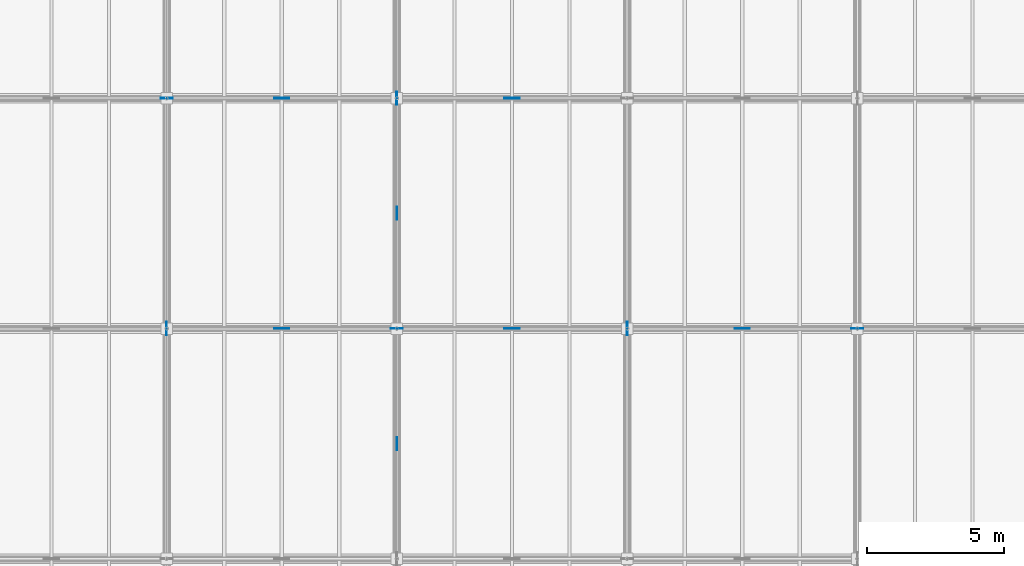
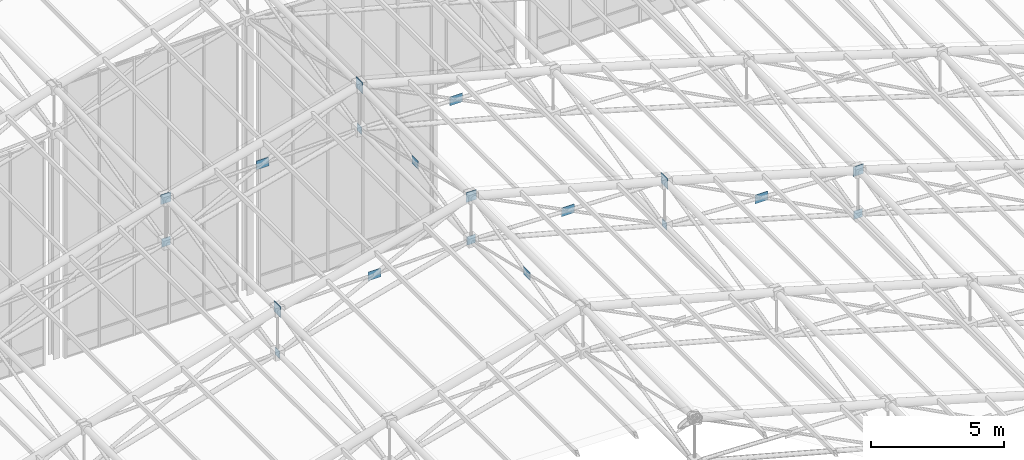
# One storey, part 122 of 144: 19 plates.
"""IFC4 building model written with IfcOpenShell, lengths in metres."""

from ifc_helpers import new_model, si_unit, direction, frame, origin, origin_2d, place, context, subcontext, project, spatial, rectangle, extrude, material, layer, layer_set, type_object, element, save


model = new_model("IFC4")

# Units and contexts
model_context = context("Model", 3, precision=1e-05, world=origin(), true_north=direction((0.0, 1.0)))
body_context = subcontext(model_context, "Body", "Model", "MODEL_VIEW")
ifc_project = project(units=[si_unit("LENGTHUNIT", "METRE"), si_unit("AREAUNIT", "SQUARE_METRE"), si_unit("VOLUMEUNIT", "CUBIC_METRE"), si_unit("PLANEANGLEUNIT", "RADIAN"), si_unit("MASSUNIT", "GRAM", prefix="KILO")], contexts=[model_context])

# Site, building, storey
site_placement = place(None, origin())
site = spatial("IfcSite", under=ifc_project, at=site_placement, CompositionType="ELEMENT")
building_placement = place(site_placement, origin())
building = spatial("IfcBuilding", under=site, at=building_placement, Name="Zayran Congress Hotel", CompositionType="ELEMENT")
storey_placement = place(building_placement, frame((0.0, 0.0, 19.199951171875)))
storey = spatial("IfcBuildingStorey", under=building, at=storey_placement, Name="L04", CompositionType="ELEMENT", Elevation=19.199951171875)

# Plates
ifc_material = material(Name="Steel S355", Category="steel")
ifc_layer_1 = layer(ifc_material, 0.02490234375)
ifc_layer_set_1 = layer_set([ifc_layer_1], Name="Steel S355")
plate_type_1 = type_object("IfcPlateType", Name="TP-SN-CP1", PredefinedType="USERDEFINED", material=ifc_layer_set_1)
for number, where, z_axis, x_axis, name in (
    (1, (42.0, 101.199951171875, 12.132080078125), (0.0, 0.0, 1.0), (1.0, 0.0, 0.0), "Space Frame Node Cap Plate 33"),
    (2, (50.39990234375, 92.800048828125, 14.382080078125), (0.0, 0.0, 1.0), (1.0, 0.0, 0.0), "Space Frame Node Cap Plate 39"),
    (3, (67.199951171875, 92.800048828125, 9.68212890625), (0.0, 0.0, 1.0), (1.0, 0.0, 0.0), "Space Frame Node Cap Plate 53"),
):
    element("IfcPlate", number, at=place(storey_placement, frame(where, z_axis=z_axis, x_axis=x_axis)), inside=storey, type_object=plate_type_1, Name=name, ObjectType="GUSSET_PLATE", PredefinedType="USERDEFINED", context=body_context, shape_type="SweptSolid", body=[
        extrude(rectangle(XDim=0.43994140625, YDim=0.02490234375, at=origin_2d()), origin(), (0.0, 0.0, 1.0), 0.43994140625),
    ])
ifc_layer_2 = layer(ifc_material, 0.02490234375)
ifc_layer_set_2 = layer_set([ifc_layer_2], Name="Steel S355")
plate_type_2 = type_object("IfcPlateType", Name="TP-SN-CP2", PredefinedType="USERDEFINED", material=ifc_layer_set_2)
for number, where, z_axis, x_axis, name in (
    (4, (42.0, 101.199951171875, 10.16015625), (0.0, 0.0, 1.0), (1.0, 0.0, 0.0), "Space Frame Node Cap Plate 110"),
    (5, (50.39990234375, 92.800048828125, 12.41015625), (0.0, 0.0, 1.0), (1.0, 0.0, 0.0), "Space Frame Node Cap Plate 116"),
    (6, (67.199951171875, 92.800048828125, 7.710205078125), (0.0, 0.0, 1.0), (1.0, 0.0, 0.0), "Space Frame Node Cap Plate 130"),
):
    element("IfcPlate", number, at=place(storey_placement, frame(where, z_axis=z_axis, x_axis=x_axis)), inside=storey, type_object=plate_type_2, Name=name, ObjectType="GUSSET_PLATE", PredefinedType="USERDEFINED", context=body_context, shape_type="SweptSolid", body=[
        extrude(rectangle(XDim=0.3798828125, YDim=0.02490234375, at=origin_2d()), origin(), (0.0, 0.0, 1.0), 0.3798828125),
    ])
ifc_layer_3 = layer(ifc_material, 0.02001953125)
ifc_layer_set_3 = layer_set([ifc_layer_3], Name="Steel S355")
plate_type_3 = type_object("IfcPlateType", Name="TP-SN-CP3", PredefinedType="USERDEFINED", material=ifc_layer_set_3)
for number, where, z_axis, x_axis, name in (
    (7, (42.0, 92.800048828125, 10.18017578125), (0.0, 0.0, 1.0), (0.0, 1.0, 0.0), "Space Frame Node Cap Plate 109"),
    (8, (50.39990234375, 101.199951171875, 12.43017578125), (0.0, 0.0, 1.0), (0.0, 1.0, 0.0), "Space Frame Node Cap Plate 117"),
    (9, (58.800048828125, 92.800048828125, 10.18017578125), (0.0, 0.0, 1.0), (0.0, 1.0, 0.0), "Space Frame Node Cap Plate 123"),
):
    element("IfcPlate", number, at=place(storey_placement, frame(where, z_axis=z_axis, x_axis=x_axis)), inside=storey, type_object=plate_type_3, Name=name, ObjectType="GUSSET_PLATE", PredefinedType="USERDEFINED", context=body_context, shape_type="SweptSolid", body=[
        extrude(rectangle(XDim=0.340087890625, YDim=0.02001953125, at=origin_2d()), origin(), (0.0, 0.0, 1.0), 0.340087890625),
    ])
ifc_layer_4 = layer(ifc_material, 0.028076171875)
ifc_layer_set_4 = layer_set([ifc_layer_4], Name="Steel S355")
plate_type_4 = type_object("IfcPlateType", Name="TP-SN-CP4", PredefinedType="USERDEFINED", material=ifc_layer_set_4)
for number, where, z_axis, x_axis, name in (
    (10, (42.0, 92.800048828125, 12.112060546875), (0.0, 0.0, 1.0), (0.0, 1.0, 0.0), "Space Frame Node Cap Plate 32"),
    (11, (50.39990234375, 101.199951171875, 14.362060546875), (0.0, 0.0, 1.0), (0.0, 1.0, 0.0), "Space Frame Node Cap Plate 40"),
    (12, (58.800048828125, 92.800048828125, 12.112060546875), (0.0, 0.0, 1.0), (0.0, 1.0, 0.0), "Space Frame Node Cap Plate 46"),
):
    element("IfcPlate", number, at=place(storey_placement, frame(where, z_axis=z_axis, x_axis=x_axis)), inside=storey, type_object=plate_type_4, Name=name, ObjectType="GUSSET_PLATE", PredefinedType="USERDEFINED", context=body_context, shape_type="SweptSolid", body=[
        extrude(rectangle(XDim=0.47998046875, YDim=0.028076171875, at=origin_2d()), origin(), (0.0, 0.0, 1.0), 0.47998046875),
    ])
ifc_layer_5 = layer(ifc_material, 0.02490234375)
ifc_layer_set_5 = layer_set([ifc_layer_5], Name="Steel S355")
plate_type_5 = type_object("IfcPlateType", Name="TP-GS-01", PredefinedType="USERDEFINED", material=ifc_layer_set_5)
for number, where, z_axis, x_axis, name in (
    (13, (46.199951171875, 92.800048828125, 12.276123046875), (0.0, 0.0, 1.0), (1.0, 0.0, 0.0), "V1 Brace Crossing Gusset Plate 38"),
    (14, (46.199951171875, 101.199951171875, 12.276123046875), (0.0, 0.0, 1.0), (1.0, 0.0, 0.0), "V1 Brace Crossing Gusset Plate 39"),
    (15, (54.60009765625, 92.800048828125, 12.276123046875), (0.0, 0.0, 1.0), (1.0, 0.0, 0.0), "V1 Brace Crossing Gusset Plate 48"),
    (16, (54.60009765625, 101.199951171875, 12.276123046875), (0.0, 0.0, 1.0), (1.0, 0.0, 0.0), "V1 Brace Crossing Gusset Plate 50"),
    (17, (63.0, 92.800048828125, 9.926025390625), (0.0, 0.0, 1.0), (1.0, 0.0, 0.0), "V1 Brace Crossing Gusset Plate 58"),
):
    element("IfcPlate", number, at=place(storey_placement, frame(where, z_axis=z_axis, x_axis=x_axis)), inside=storey, type_object=plate_type_5, Name=name, ObjectType="GUSSET_PLATE", PredefinedType="USERDEFINED", context=body_context, shape_type="SweptSolid", body=[
        extrude(rectangle(XDim=0.550048828125, YDim=0.02490234375, at=origin_2d()), origin(), (0.0, 0.0, 1.0), 0.39990234375),
    ])
ifc_layer_6 = layer(ifc_material, 0.02001953125)
ifc_layer_set_6 = layer_set([ifc_layer_6], Name="Steel S355")
plate_type_6 = type_object("IfcPlateType", Name="TP-GS-02", PredefinedType="USERDEFINED", material=ifc_layer_set_6)
for number, where, z_axis, x_axis, name in (
    (18, (50.39990234375, 88.60009765625, 13.4208984375), (0.0, 0.0, 1.0), (0.0, 1.0, 0.0), "V1 Brace Crossing Gusset Plate 47"),
    (19, (50.39990234375, 97.0, 13.4208984375), (0.0, 0.0, 1.0), (0.0, 1.0, 0.0), "V1 Brace Crossing Gusset Plate 49"),
):
    element("IfcPlate", number, at=place(storey_placement, frame(where, z_axis=z_axis, x_axis=x_axis)), inside=storey, type_object=plate_type_6, Name=name, ObjectType="GUSSET_PLATE", PredefinedType="USERDEFINED", context=body_context, shape_type="SweptSolid", body=[
        extrude(rectangle(XDim=0.47998046875, YDim=0.02001953125, at=origin_2d()), origin(), (0.0, 0.0, 1.0), 0.360107421875),
    ])

save(model, "model.ifc")
